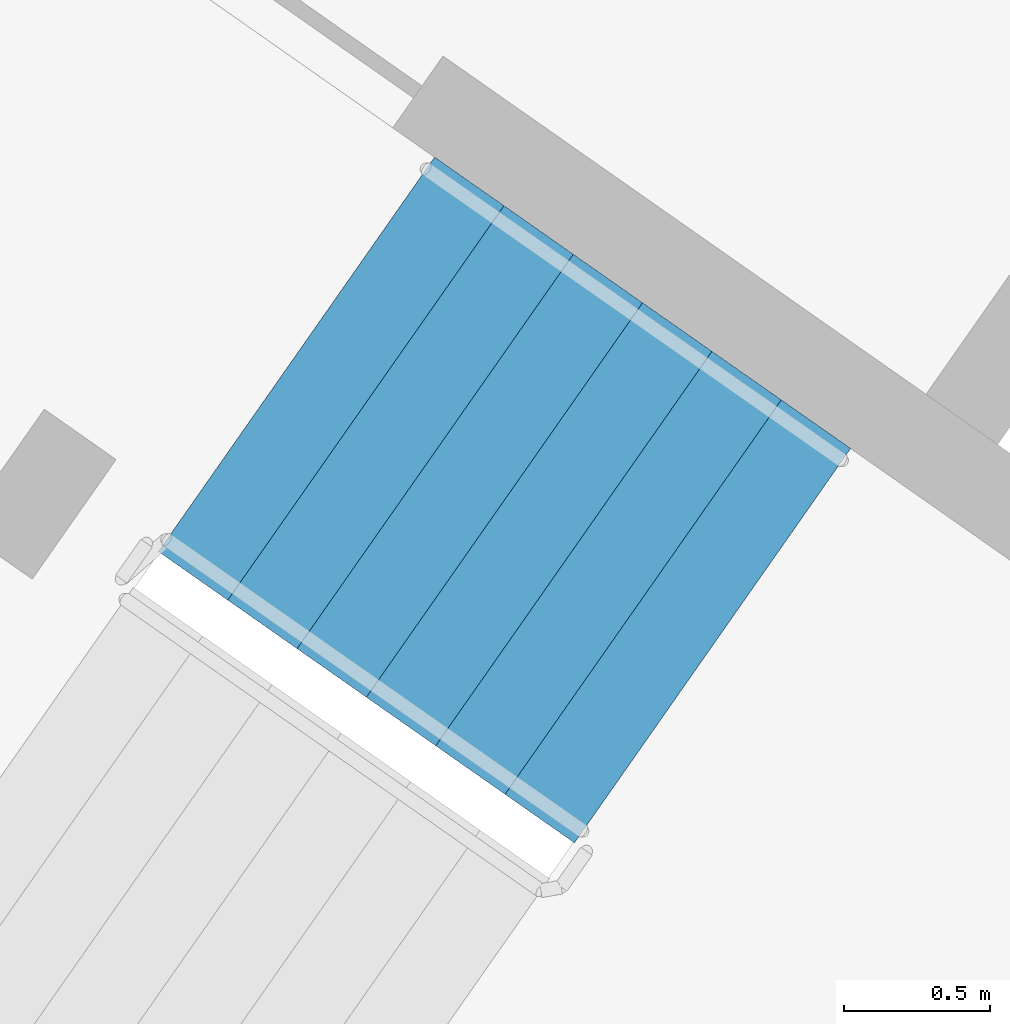
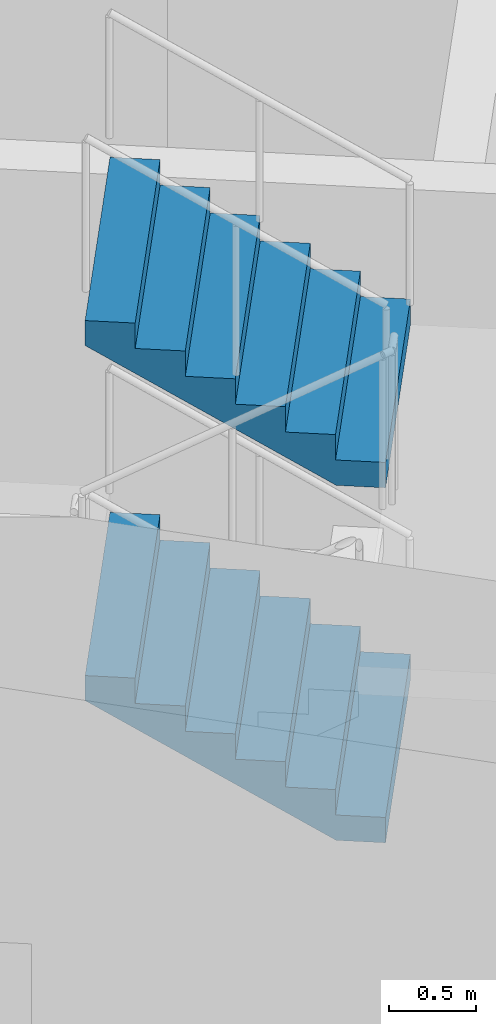
# One storey, part 14 of 24: 2 stair flights, 1 element without a shape of its own.
"""IFC4 building model written with IfcOpenShell, lengths in metres."""

from ifc_helpers import new_model, si_unit, direction, frame, origin, place, context, subcontext, project, spatial, faceted_brep, material, type_object, element, aggregate, save


model = new_model("IFC4")

# Units and contexts
model_context = context("Model", 3, precision=1e-05, world=origin(), true_north=direction((0.0, 1.0)))
body_context = subcontext(model_context, "Body", "Model", "MODEL_VIEW")
ifc_project = project(units=[si_unit("LENGTHUNIT", "METRE"), si_unit("AREAUNIT", "SQUARE_METRE"), si_unit("VOLUMEUNIT", "CUBIC_METRE"), si_unit("PLANEANGLEUNIT", "RADIAN"), si_unit("MASSUNIT", "GRAM", prefix="KILO")], contexts=[model_context])

# Site, building, storey
site_placement = place(None, origin())
site = spatial("IfcSite", under=ifc_project, at=site_placement, CompositionType="ELEMENT")
building_placement = place(site_placement, origin())
building = spatial("IfcBuilding", under=site, at=building_placement, Name="Qamariyya Broadcast Tower", CompositionType="ELEMENT")
storey_placement = place(building_placement, frame((0.0, 0.0, 253.10009765625)))
storey = spatial("IfcBuildingStorey", under=building, at=storey_placement, Name="L61", CompositionType="ELEMENT", Elevation=253.10009765625)

# Stair, stair flights
ifc_material = material(Name="Concrete C50/60", Category="concrete")
stair_type = type_object("IfcStairType", Name="Exit stair 28 risers of 179 mm", PredefinedType="HALF_TURN_STAIR", material=ifc_material)
stair_placement = place(storey_placement, origin())
stair = element("IfcStair", 1, at=stair_placement, inside=storey, type_object=stair_type, Name="L61 Stair W1", PredefinedType="HALF_TURN_STAIR")
stair_flight_type = type_object("IfcStairFlightType", Name="Exit stair flight 7 risers of 179 mm", PredefinedType="STRAIGHT", material=ifc_material)
stair_flight_1_placement = place(storey_placement, frame((-44.611083984375, -56.506103515625, 1.25), z_axis=(0.0, 0.0, 1.0), x_axis=(-0.819152044289, 0.573576436351, 0.0)))
stair_flight_1 = element("IfcStairFlight", 2, at=stair_flight_1_placement, type_object=stair_flight_type, Name="ST-W1 flight 2", NumberOfRisers=7, NumberOfTreads=6, PredefinedType="STRAIGHT", RiserHeight=0.178571429, TreadLength=0.29, context=body_context, shape_type="Brep", body=[
    faceted_brep([(0.0, 0.824951171875, 0.0), (0.0, 0.824951171875, 0.178466796875), (0.2900390625, 0.824951171875, 0.178466796875), (0.2900390625, 0.824951171875, 0.357177734375), (0.580078125, 0.824951171875, 0.357177734375), (0.580078125, 0.824951171875, 0.53564453125), (0.8701171875, 0.824951171875, 0.53564453125), (0.8701171875, 0.824951171875, 0.71435546875), (1.159912109375, 0.824951171875, 0.71435546875), (1.159912109375, 0.824951171875, 0.892822265625), (1.449951171875, 0.824951171875, 0.892822265625), (1.449951171875, 0.824951171875, 1.071533203125), (1.739990234375, 0.824951171875, 1.071533203125), (1.739990234375, 0.824951171875, 0.8955078125), (0.285888671875, 0.824951171875, 0.0), (0.285888671875, -0.824951171875, 0.0), (1.739990234375, -0.824951171875, 0.8955078125), (1.739990234375, -0.824951171875, 1.071533203125), (1.449951171875, -0.824951171875, 1.071533203125), (1.449951171875, -0.824951171875, 0.892822265625), (1.159912109375, -0.824951171875, 0.892822265625), (1.159912109375, -0.824951171875, 0.71435546875), (0.8701171875, -0.824951171875, 0.71435546875), (0.8701171875, -0.824951171875, 0.53564453125), (0.580078125, -0.824951171875, 0.53564453125), (0.580078125, -0.824951171875, 0.357177734375), (0.2900390625, -0.824951171875, 0.357177734375), (0.2900390625, -0.824951171875, 0.178466796875), (0.0, -0.824951171875, 0.178466796875), (0.0, -0.824951171875, 0.0), (0.0, 0.10009765625, 0.0), (0.0, 0.086669921875, 0.0), (0.0, 0.0732421875, 0.0), (0.0, 0.06005859375, 0.0), (0.0, 0.046630859375, 0.0), (0.0, 0.033447265625, 0.0), (0.0, 0.02001953125, 0.0), (0.0, 0.006591796875, 0.0), (0.0, -0.006591796875, 0.0), (0.0, -0.02001953125, 0.0), (0.0, -0.033447265625, 0.0), (0.0, -0.046630859375, 0.0), (0.0, -0.06005859375, 0.0), (0.0, -0.0732421875, 0.0), (0.0, -0.086669921875, 0.0), (0.0, -0.10009765625, 0.0), (0.0, -0.10009765625, 0.178466796875), (0.0, -0.086669921875, 0.178466796875), (0.0, -0.0732421875, 0.178466796875), (0.0, -0.06005859375, 0.178466796875), (0.0, -0.046630859375, 0.178466796875), (0.0, -0.033447265625, 0.178466796875), (0.0, -0.02001953125, 0.178466796875), (0.0, -0.006591796875, 0.178466796875), (0.0, 0.006591796875, 0.178466796875), (0.0, 0.02001953125, 0.178466796875), (0.0, 0.033447265625, 0.178466796875), (0.0, 0.046630859375, 0.178466796875), (0.0, 0.06005859375, 0.178466796875), (0.0, 0.0732421875, 0.178466796875), (0.0, 0.086669921875, 0.178466796875), (0.0, 0.10009765625, 0.178466796875), (0.2900390625, -0.10009765625, 0.178466796875), (0.2900390625, -0.086669921875, 0.178466796875), (0.2900390625, -0.0732421875, 0.178466796875), (0.2900390625, -0.06005859375, 0.178466796875), (0.2900390625, -0.046630859375, 0.178466796875), (0.2900390625, -0.033447265625, 0.178466796875), (0.2900390625, -0.02001953125, 0.178466796875), (0.2900390625, -0.006591796875, 0.178466796875), (0.2900390625, 0.006591796875, 0.178466796875), (0.2900390625, 0.02001953125, 0.178466796875), (0.2900390625, 0.033447265625, 0.178466796875), (0.2900390625, 0.046630859375, 0.178466796875), (0.2900390625, 0.06005859375, 0.178466796875), (0.2900390625, 0.0732421875, 0.178466796875), (0.2900390625, 0.086669921875, 0.178466796875), (0.2900390625, 0.10009765625, 0.178466796875), (0.2900390625, -0.10009765625, 0.357177734375), (0.2900390625, -0.086669921875, 0.357177734375), (0.2900390625, -0.0732421875, 0.357177734375), (0.2900390625, -0.06005859375, 0.357177734375), (0.2900390625, -0.046630859375, 0.357177734375), (0.2900390625, -0.033447265625, 0.357177734375), (0.2900390625, -0.02001953125, 0.357177734375), (0.2900390625, -0.006591796875, 0.357177734375), (0.2900390625, 0.006591796875, 0.357177734375), (0.2900390625, 0.02001953125, 0.357177734375), (0.2900390625, 0.033447265625, 0.357177734375), (0.2900390625, 0.046630859375, 0.357177734375), (0.2900390625, 0.06005859375, 0.357177734375), (0.2900390625, 0.0732421875, 0.357177734375), (0.2900390625, 0.086669921875, 0.357177734375), (0.2900390625, 0.10009765625, 0.357177734375), (0.580078125, -0.10009765625, 0.357177734375), (0.580078125, -0.086669921875, 0.357177734375), (0.580078125, -0.0732421875, 0.357177734375), (0.580078125, -0.06005859375, 0.357177734375), (0.580078125, -0.046630859375, 0.357177734375), (0.580078125, -0.033447265625, 0.357177734375), (0.580078125, -0.02001953125, 0.357177734375), (0.580078125, -0.006591796875, 0.357177734375), (0.580078125, 0.006591796875, 0.357177734375), (0.580078125, 0.02001953125, 0.357177734375), (0.580078125, 0.033447265625, 0.357177734375), (0.580078125, 0.046630859375, 0.357177734375), (0.580078125, 0.06005859375, 0.357177734375), (0.580078125, 0.0732421875, 0.357177734375), (0.580078125, 0.086669921875, 0.357177734375), (0.580078125, 0.10009765625, 0.357177734375), (0.580078125, -0.10009765625, 0.53564453125), (0.580078125, -0.086669921875, 0.53564453125), (0.580078125, -0.0732421875, 0.53564453125), (0.580078125, -0.06005859375, 0.53564453125), (0.580078125, -0.046630859375, 0.53564453125), (0.580078125, -0.033447265625, 0.53564453125), (0.580078125, -0.02001953125, 0.53564453125), (0.580078125, -0.006591796875, 0.53564453125), (0.580078125, 0.006591796875, 0.53564453125), (0.580078125, 0.02001953125, 0.53564453125), (0.580078125, 0.033447265625, 0.53564453125), (0.580078125, 0.046630859375, 0.53564453125), (0.580078125, 0.06005859375, 0.53564453125), (0.580078125, 0.0732421875, 0.53564453125), (0.580078125, 0.086669921875, 0.53564453125), (0.580078125, 0.10009765625, 0.53564453125), (0.8701171875, -0.10009765625, 0.53564453125), (0.8701171875, -0.086669921875, 0.53564453125), (0.8701171875, -0.0732421875, 0.53564453125), (0.8701171875, -0.06005859375, 0.53564453125), (0.8701171875, -0.046630859375, 0.53564453125), (0.8701171875, -0.033447265625, 0.53564453125), (0.8701171875, -0.02001953125, 0.53564453125), (0.8701171875, -0.006591796875, 0.53564453125), (0.8701171875, 0.006591796875, 0.53564453125), (0.8701171875, 0.02001953125, 0.53564453125), (0.8701171875, 0.033447265625, 0.53564453125), (0.8701171875, 0.046630859375, 0.53564453125), (0.8701171875, 0.06005859375, 0.53564453125), (0.8701171875, 0.0732421875, 0.53564453125), (0.8701171875, 0.086669921875, 0.53564453125), (0.8701171875, 0.10009765625, 0.53564453125), (0.8701171875, -0.10009765625, 0.71435546875), (0.8701171875, -0.086669921875, 0.71435546875), (0.8701171875, -0.0732421875, 0.71435546875), (0.8701171875, -0.06005859375, 0.71435546875), (0.8701171875, -0.046630859375, 0.71435546875), (0.8701171875, -0.033447265625, 0.71435546875), (0.8701171875, -0.02001953125, 0.71435546875), (0.8701171875, -0.006591796875, 0.71435546875), (0.8701171875, 0.006591796875, 0.71435546875), (0.8701171875, 0.02001953125, 0.71435546875), (0.8701171875, 0.033447265625, 0.71435546875), (0.8701171875, 0.046630859375, 0.71435546875), (0.8701171875, 0.06005859375, 0.71435546875), (0.8701171875, 0.0732421875, 0.71435546875), (0.8701171875, 0.086669921875, 0.71435546875), (0.8701171875, 0.10009765625, 0.71435546875), (1.159912109375, -0.10009765625, 0.71435546875), (1.159912109375, -0.086669921875, 0.71435546875), (1.159912109375, -0.0732421875, 0.71435546875), (1.159912109375, -0.06005859375, 0.71435546875), (1.159912109375, -0.046630859375, 0.71435546875), (1.159912109375, -0.033447265625, 0.71435546875), (1.159912109375, -0.02001953125, 0.71435546875), (1.159912109375, -0.006591796875, 0.71435546875), (1.159912109375, 0.006591796875, 0.71435546875), (1.159912109375, 0.02001953125, 0.71435546875), (1.159912109375, 0.033447265625, 0.71435546875), (1.159912109375, 0.046630859375, 0.71435546875), (1.159912109375, 0.06005859375, 0.71435546875), (1.159912109375, 0.0732421875, 0.71435546875), (1.159912109375, 0.086669921875, 0.71435546875), (1.159912109375, 0.10009765625, 0.71435546875), (1.159912109375, -0.10009765625, 0.892822265625), (1.159912109375, -0.086669921875, 0.892822265625), (1.159912109375, -0.0732421875, 0.892822265625), (1.159912109375, -0.06005859375, 0.892822265625), (1.159912109375, -0.046630859375, 0.892822265625), (1.159912109375, -0.033447265625, 0.892822265625), (1.159912109375, -0.02001953125, 0.892822265625), (1.159912109375, -0.006591796875, 0.892822265625), (1.159912109375, 0.006591796875, 0.892822265625), (1.159912109375, 0.02001953125, 0.892822265625), (1.159912109375, 0.033447265625, 0.892822265625), (1.159912109375, 0.046630859375, 0.892822265625), (1.159912109375, 0.06005859375, 0.892822265625), (1.159912109375, 0.0732421875, 0.892822265625), (1.159912109375, 0.086669921875, 0.892822265625), (1.159912109375, 0.10009765625, 0.892822265625), (1.449951171875, -0.10009765625, 0.892822265625), (1.449951171875, -0.086669921875, 0.892822265625), (1.449951171875, -0.0732421875, 0.892822265625), (1.449951171875, -0.06005859375, 0.892822265625), (1.449951171875, -0.046630859375, 0.892822265625), (1.449951171875, -0.033447265625, 0.892822265625), (1.449951171875, -0.02001953125, 0.892822265625), (1.449951171875, -0.006591796875, 0.892822265625), (1.449951171875, 0.006591796875, 0.892822265625), (1.449951171875, 0.02001953125, 0.892822265625), (1.449951171875, 0.033447265625, 0.892822265625), (1.449951171875, 0.046630859375, 0.892822265625), (1.449951171875, 0.06005859375, 0.892822265625), (1.449951171875, 0.0732421875, 0.892822265625), (1.449951171875, 0.086669921875, 0.892822265625), (1.449951171875, 0.10009765625, 0.892822265625), (1.449951171875, -0.10009765625, 1.071533203125), (1.449951171875, -0.086669921875, 1.071533203125), (1.449951171875, -0.0732421875, 1.071533203125), (1.449951171875, -0.06005859375, 1.071533203125), (1.449951171875, -0.046630859375, 1.071533203125), (1.449951171875, -0.033447265625, 1.071533203125), (1.449951171875, -0.02001953125, 1.071533203125), (1.449951171875, -0.006591796875, 1.071533203125), (1.449951171875, 0.006591796875, 1.071533203125), (1.449951171875, 0.02001953125, 1.071533203125), (1.449951171875, 0.033447265625, 1.071533203125), (1.449951171875, 0.046630859375, 1.071533203125), (1.449951171875, 0.06005859375, 1.071533203125), (1.449951171875, 0.0732421875, 1.071533203125), (1.449951171875, 0.086669921875, 1.071533203125), (1.449951171875, 0.10009765625, 1.071533203125), (1.739990234375, -0.10009765625, 1.071533203125), (1.739990234375, -0.086669921875, 1.071533203125), (1.739990234375, -0.0732421875, 1.071533203125), (1.739990234375, -0.06005859375, 1.071533203125), (1.739990234375, -0.046630859375, 1.071533203125), (1.739990234375, -0.033447265625, 1.071533203125), (1.739990234375, -0.02001953125, 1.071533203125), (1.739990234375, -0.006591796875, 1.071533203125), (1.739990234375, 0.006591796875, 1.071533203125), (1.739990234375, 0.02001953125, 1.071533203125), (1.739990234375, 0.033447265625, 1.071533203125), (1.739990234375, 0.046630859375, 1.071533203125), (1.739990234375, 0.06005859375, 1.071533203125), (1.739990234375, 0.0732421875, 1.071533203125), (1.739990234375, 0.086669921875, 1.071533203125), (1.739990234375, 0.10009765625, 1.071533203125), (1.739990234375, -0.10009765625, 0.8955078125), (1.739990234375, -0.086669921875, 0.8955078125), (1.739990234375, -0.0732421875, 0.8955078125), (1.739990234375, -0.06005859375, 0.8955078125), (1.739990234375, -0.046630859375, 0.8955078125), (1.739990234375, -0.033447265625, 0.8955078125), (1.739990234375, -0.02001953125, 0.8955078125), (1.739990234375, -0.006591796875, 0.8955078125), (1.739990234375, 0.006591796875, 0.8955078125), (1.739990234375, 0.02001953125, 0.8955078125), (1.739990234375, 0.033447265625, 0.8955078125), (1.739990234375, 0.046630859375, 0.8955078125), (1.739990234375, 0.06005859375, 0.8955078125), (1.739990234375, 0.0732421875, 0.8955078125), (1.739990234375, 0.086669921875, 0.8955078125), (1.739990234375, 0.10009765625, 0.8955078125), (0.285888671875, -0.10009765625, 0.0), (0.285888671875, -0.086669921875, 0.0), (0.285888671875, -0.0732421875, 0.0), (0.285888671875, -0.06005859375, 0.0), (0.285888671875, -0.046630859375, 0.0), (0.285888671875, -0.033447265625, 0.0), (0.285888671875, -0.02001953125, 0.0), (0.285888671875, -0.006591796875, 0.0), (0.285888671875, 0.006591796875, 0.0), (0.285888671875, 0.02001953125, 0.0), (0.285888671875, 0.033447265625, 0.0), (0.285888671875, 0.046630859375, 0.0), (0.285888671875, 0.06005859375, 0.0), (0.285888671875, 0.0732421875, 0.0), (0.285888671875, 0.086669921875, 0.0), (0.285888671875, 0.10009765625, 0.0)], [[[0, 1, 2, 3, 4, 5, 6, 7, 8, 9, 10, 11, 12, 13, 14]], [[15, 16, 17, 18, 19, 20, 21, 22, 23, 24, 25, 26, 27, 28, 29]], [[0, 30, 31, 32, 33, 34, 35, 36, 37, 38, 39, 40, 41, 42, 43, 44, 45, 29, 28, 46, 47, 48, 49, 50, 51, 52, 53, 54, 55, 56, 57, 58, 59, 60, 61, 1]], [[1, 61, 60, 59, 58, 57, 56, 55, 54, 53, 52, 51, 50, 49, 48, 47, 46, 28, 27, 62, 63, 64, 65, 66, 67, 68, 69, 70, 71, 72, 73, 74, 75, 76, 77, 2]], [[2, 77, 76, 75, 74, 73, 72, 71, 70, 69, 68, 67, 66, 65, 64, 63, 62, 27, 26, 78, 79, 80, 81, 82, 83, 84, 85, 86, 87, 88, 89, 90, 91, 92, 93, 3]], [[3, 93, 92, 91, 90, 89, 88, 87, 86, 85, 84, 83, 82, 81, 80, 79, 78, 26, 25, 94, 95, 96, 97, 98, 99, 100, 101, 102, 103, 104, 105, 106, 107, 108, 109, 4]], [[4, 109, 108, 107, 106, 105, 104, 103, 102, 101, 100, 99, 98, 97, 96, 95, 94, 25, 24, 110, 111, 112, 113, 114, 115, 116, 117, 118, 119, 120, 121, 122, 123, 124, 125, 5]], [[5, 125, 124, 123, 122, 121, 120, 119, 118, 117, 116, 115, 114, 113, 112, 111, 110, 24, 23, 126, 127, 128, 129, 130, 131, 132, 133, 134, 135, 136, 137, 138, 139, 140, 141, 6]], [[6, 141, 140, 139, 138, 137, 136, 135, 134, 133, 132, 131, 130, 129, 128, 127, 126, 23, 22, 142, 143, 144, 145, 146, 147, 148, 149, 150, 151, 152, 153, 154, 155, 156, 157, 7]], [[7, 157, 156, 155, 154, 153, 152, 151, 150, 149, 148, 147, 146, 145, 144, 143, 142, 22, 21, 158, 159, 160, 161, 162, 163, 164, 165, 166, 167, 168, 169, 170, 171, 172, 173, 8]], [[8, 173, 172, 171, 170, 169, 168, 167, 166, 165, 164, 163, 162, 161, 160, 159, 158, 21, 20, 174, 175, 176, 177, 178, 179, 180, 181, 182, 183, 184, 185, 186, 187, 188, 189, 9]], [[9, 189, 188, 187, 186, 185, 184, 183, 182, 181, 180, 179, 178, 177, 176, 175, 174, 20, 19, 190, 191, 192, 193, 194, 195, 196, 197, 198, 199, 200, 201, 202, 203, 204, 205, 10]], [[10, 205, 204, 203, 202, 201, 200, 199, 198, 197, 196, 195, 194, 193, 192, 191, 190, 19, 18, 206, 207, 208, 209, 210, 211, 212, 213, 214, 215, 216, 217, 218, 219, 220, 221, 11]], [[11, 221, 220, 219, 218, 217, 216, 215, 214, 213, 212, 211, 210, 209, 208, 207, 206, 18, 17, 222, 223, 224, 225, 226, 227, 228, 229, 230, 231, 232, 233, 234, 235, 236, 237, 12]], [[12, 237, 236, 235, 234, 233, 232, 231, 230, 229, 228, 227, 226, 225, 224, 223, 222, 17, 16, 238, 239, 240, 241, 242, 243, 244, 245, 246, 247, 248, 249, 250, 251, 252, 253, 13]], [[13, 253, 252, 251, 250, 249, 248, 247, 246, 245, 244, 243, 242, 241, 240, 239, 238, 16, 15, 254, 255, 256, 257, 258, 259, 260, 261, 262, 263, 264, 265, 266, 267, 268, 269, 14]], [[14, 269, 268, 267, 266, 265, 264, 263, 262, 261, 260, 259, 258, 257, 256, 255, 254, 15, 29, 45, 44, 43, 42, 41, 40, 39, 38, 37, 36, 35, 34, 33, 32, 31, 30, 0]]]),
])
stair_flight_2_placement = place(storey_placement, frame((-44.611083984375, -56.506103515625, 3.75), z_axis=(0.0, 0.0, 1.0), x_axis=(-0.819152044289, 0.573576436351, 0.0)))
stair_flight_2 = element("IfcStairFlight", 3, at=stair_flight_2_placement, type_object=stair_flight_type, Name="ST-W1 flight 4", NumberOfRisers=7, NumberOfTreads=6, PredefinedType="STRAIGHT", RiserHeight=0.178571429, TreadLength=0.29, context=body_context, shape_type="Brep", body=[
    faceted_brep([(0.0, 0.824951171875, 0.0), (0.0, 0.824951171875, 0.178466796875), (0.2900390625, 0.824951171875, 0.178466796875), (0.2900390625, 0.824951171875, 0.357177734375), (0.580078125, 0.824951171875, 0.357177734375), (0.580078125, 0.824951171875, 0.53564453125), (0.8701171875, 0.824951171875, 0.53564453125), (0.8701171875, 0.824951171875, 0.71435546875), (1.159912109375, 0.824951171875, 0.71435546875), (1.159912109375, 0.824951171875, 0.892822265625), (1.449951171875, 0.824951171875, 0.892822265625), (1.449951171875, 0.824951171875, 1.071533203125), (1.739990234375, 0.824951171875, 1.071533203125), (1.739990234375, 0.824951171875, 0.8955078125), (0.285888671875, 0.824951171875, 0.0), (0.285888671875, -0.824951171875, 0.0), (1.739990234375, -0.824951171875, 0.8955078125), (1.739990234375, -0.824951171875, 1.071533203125), (1.449951171875, -0.824951171875, 1.071533203125), (1.449951171875, -0.824951171875, 0.892822265625), (1.159912109375, -0.824951171875, 0.892822265625), (1.159912109375, -0.824951171875, 0.71435546875), (0.8701171875, -0.824951171875, 0.71435546875), (0.8701171875, -0.824951171875, 0.53564453125), (0.580078125, -0.824951171875, 0.53564453125), (0.580078125, -0.824951171875, 0.357177734375), (0.2900390625, -0.824951171875, 0.357177734375), (0.2900390625, -0.824951171875, 0.178466796875), (0.0, -0.824951171875, 0.178466796875), (0.0, -0.824951171875, 0.0), (0.0, 0.10009765625, 0.0), (0.0, 0.086669921875, 0.0), (0.0, 0.0732421875, 0.0), (0.0, 0.06005859375, 0.0), (0.0, 0.046630859375, 0.0), (0.0, 0.033447265625, 0.0), (0.0, 0.02001953125, 0.0), (0.0, 0.006591796875, 0.0), (0.0, -0.006591796875, 0.0), (0.0, -0.02001953125, 0.0), (0.0, -0.033447265625, 0.0), (0.0, -0.046630859375, 0.0), (0.0, -0.06005859375, 0.0), (0.0, -0.0732421875, 0.0), (0.0, -0.086669921875, 0.0), (0.0, -0.10009765625, 0.0), (0.0, -0.10009765625, 0.178466796875), (0.0, -0.086669921875, 0.178466796875), (0.0, -0.0732421875, 0.178466796875), (0.0, -0.06005859375, 0.178466796875), (0.0, -0.046630859375, 0.178466796875), (0.0, -0.033447265625, 0.178466796875), (0.0, -0.02001953125, 0.178466796875), (0.0, -0.006591796875, 0.178466796875), (0.0, 0.006591796875, 0.178466796875), (0.0, 0.02001953125, 0.178466796875), (0.0, 0.033447265625, 0.178466796875), (0.0, 0.046630859375, 0.178466796875), (0.0, 0.06005859375, 0.178466796875), (0.0, 0.0732421875, 0.178466796875), (0.0, 0.086669921875, 0.178466796875), (0.0, 0.10009765625, 0.178466796875), (0.2900390625, -0.10009765625, 0.178466796875), (0.2900390625, -0.086669921875, 0.178466796875), (0.2900390625, -0.0732421875, 0.178466796875), (0.2900390625, -0.06005859375, 0.178466796875), (0.2900390625, -0.046630859375, 0.178466796875), (0.2900390625, -0.033447265625, 0.178466796875), (0.2900390625, -0.02001953125, 0.178466796875), (0.2900390625, -0.006591796875, 0.178466796875), (0.2900390625, 0.006591796875, 0.178466796875), (0.2900390625, 0.02001953125, 0.178466796875), (0.2900390625, 0.033447265625, 0.178466796875), (0.2900390625, 0.046630859375, 0.178466796875), (0.2900390625, 0.06005859375, 0.178466796875), (0.2900390625, 0.0732421875, 0.178466796875), (0.2900390625, 0.086669921875, 0.178466796875), (0.2900390625, 0.10009765625, 0.178466796875), (0.2900390625, -0.10009765625, 0.357177734375), (0.2900390625, -0.086669921875, 0.357177734375), (0.2900390625, -0.0732421875, 0.357177734375), (0.2900390625, -0.06005859375, 0.357177734375), (0.2900390625, -0.046630859375, 0.357177734375), (0.2900390625, -0.033447265625, 0.357177734375), (0.2900390625, -0.02001953125, 0.357177734375), (0.2900390625, -0.006591796875, 0.357177734375), (0.2900390625, 0.006591796875, 0.357177734375), (0.2900390625, 0.02001953125, 0.357177734375), (0.2900390625, 0.033447265625, 0.357177734375), (0.2900390625, 0.046630859375, 0.357177734375), (0.2900390625, 0.06005859375, 0.357177734375), (0.2900390625, 0.0732421875, 0.357177734375), (0.2900390625, 0.086669921875, 0.357177734375), (0.2900390625, 0.10009765625, 0.357177734375), (0.580078125, -0.10009765625, 0.357177734375), (0.580078125, -0.086669921875, 0.357177734375), (0.580078125, -0.0732421875, 0.357177734375), (0.580078125, -0.06005859375, 0.357177734375), (0.580078125, -0.046630859375, 0.357177734375), (0.580078125, -0.033447265625, 0.357177734375), (0.580078125, -0.02001953125, 0.357177734375), (0.580078125, -0.006591796875, 0.357177734375), (0.580078125, 0.006591796875, 0.357177734375), (0.580078125, 0.02001953125, 0.357177734375), (0.580078125, 0.033447265625, 0.357177734375), (0.580078125, 0.046630859375, 0.357177734375), (0.580078125, 0.06005859375, 0.357177734375), (0.580078125, 0.0732421875, 0.357177734375), (0.580078125, 0.086669921875, 0.357177734375), (0.580078125, 0.10009765625, 0.357177734375), (0.580078125, -0.10009765625, 0.53564453125), (0.580078125, -0.086669921875, 0.53564453125), (0.580078125, -0.0732421875, 0.53564453125), (0.580078125, -0.06005859375, 0.53564453125), (0.580078125, -0.046630859375, 0.53564453125), (0.580078125, -0.033447265625, 0.53564453125), (0.580078125, -0.02001953125, 0.53564453125), (0.580078125, -0.006591796875, 0.53564453125), (0.580078125, 0.006591796875, 0.53564453125), (0.580078125, 0.02001953125, 0.53564453125), (0.580078125, 0.033447265625, 0.53564453125), (0.580078125, 0.046630859375, 0.53564453125), (0.580078125, 0.06005859375, 0.53564453125), (0.580078125, 0.0732421875, 0.53564453125), (0.580078125, 0.086669921875, 0.53564453125), (0.580078125, 0.10009765625, 0.53564453125), (0.8701171875, -0.10009765625, 0.53564453125), (0.8701171875, -0.086669921875, 0.53564453125), (0.8701171875, -0.0732421875, 0.53564453125), (0.8701171875, -0.06005859375, 0.53564453125), (0.8701171875, -0.046630859375, 0.53564453125), (0.8701171875, -0.033447265625, 0.53564453125), (0.8701171875, -0.02001953125, 0.53564453125), (0.8701171875, -0.006591796875, 0.53564453125), (0.8701171875, 0.006591796875, 0.53564453125), (0.8701171875, 0.02001953125, 0.53564453125), (0.8701171875, 0.033447265625, 0.53564453125), (0.8701171875, 0.046630859375, 0.53564453125), (0.8701171875, 0.06005859375, 0.53564453125), (0.8701171875, 0.0732421875, 0.53564453125), (0.8701171875, 0.086669921875, 0.53564453125), (0.8701171875, 0.10009765625, 0.53564453125), (0.8701171875, -0.10009765625, 0.71435546875), (0.8701171875, -0.086669921875, 0.71435546875), (0.8701171875, -0.0732421875, 0.71435546875), (0.8701171875, -0.06005859375, 0.71435546875), (0.8701171875, -0.046630859375, 0.71435546875), (0.8701171875, -0.033447265625, 0.71435546875), (0.8701171875, -0.02001953125, 0.71435546875), (0.8701171875, -0.006591796875, 0.71435546875), (0.8701171875, 0.006591796875, 0.71435546875), (0.8701171875, 0.02001953125, 0.71435546875), (0.8701171875, 0.033447265625, 0.71435546875), (0.8701171875, 0.046630859375, 0.71435546875), (0.8701171875, 0.06005859375, 0.71435546875), (0.8701171875, 0.0732421875, 0.71435546875), (0.8701171875, 0.086669921875, 0.71435546875), (0.8701171875, 0.10009765625, 0.71435546875), (1.159912109375, -0.10009765625, 0.71435546875), (1.159912109375, -0.086669921875, 0.71435546875), (1.159912109375, -0.0732421875, 0.71435546875), (1.159912109375, -0.06005859375, 0.71435546875), (1.159912109375, -0.046630859375, 0.71435546875), (1.159912109375, -0.033447265625, 0.71435546875), (1.159912109375, -0.02001953125, 0.71435546875), (1.159912109375, -0.006591796875, 0.71435546875), (1.159912109375, 0.006591796875, 0.71435546875), (1.159912109375, 0.02001953125, 0.71435546875), (1.159912109375, 0.033447265625, 0.71435546875), (1.159912109375, 0.046630859375, 0.71435546875), (1.159912109375, 0.06005859375, 0.71435546875), (1.159912109375, 0.0732421875, 0.71435546875), (1.159912109375, 0.086669921875, 0.71435546875), (1.159912109375, 0.10009765625, 0.71435546875), (1.159912109375, -0.10009765625, 0.892822265625), (1.159912109375, -0.086669921875, 0.892822265625), (1.159912109375, -0.0732421875, 0.892822265625), (1.159912109375, -0.06005859375, 0.892822265625), (1.159912109375, -0.046630859375, 0.892822265625), (1.159912109375, -0.033447265625, 0.892822265625), (1.159912109375, -0.02001953125, 0.892822265625), (1.159912109375, -0.006591796875, 0.892822265625), (1.159912109375, 0.006591796875, 0.892822265625), (1.159912109375, 0.02001953125, 0.892822265625), (1.159912109375, 0.033447265625, 0.892822265625), (1.159912109375, 0.046630859375, 0.892822265625), (1.159912109375, 0.06005859375, 0.892822265625), (1.159912109375, 0.0732421875, 0.892822265625), (1.159912109375, 0.086669921875, 0.892822265625), (1.159912109375, 0.10009765625, 0.892822265625), (1.449951171875, -0.10009765625, 0.892822265625), (1.449951171875, -0.086669921875, 0.892822265625), (1.449951171875, -0.0732421875, 0.892822265625), (1.449951171875, -0.06005859375, 0.892822265625), (1.449951171875, -0.046630859375, 0.892822265625), (1.449951171875, -0.033447265625, 0.892822265625), (1.449951171875, -0.02001953125, 0.892822265625), (1.449951171875, -0.006591796875, 0.892822265625), (1.449951171875, 0.006591796875, 0.892822265625), (1.449951171875, 0.02001953125, 0.892822265625), (1.449951171875, 0.033447265625, 0.892822265625), (1.449951171875, 0.046630859375, 0.892822265625), (1.449951171875, 0.06005859375, 0.892822265625), (1.449951171875, 0.0732421875, 0.892822265625), (1.449951171875, 0.086669921875, 0.892822265625), (1.449951171875, 0.10009765625, 0.892822265625), (1.449951171875, -0.10009765625, 1.071533203125), (1.449951171875, -0.086669921875, 1.071533203125), (1.449951171875, -0.0732421875, 1.071533203125), (1.449951171875, -0.06005859375, 1.071533203125), (1.449951171875, -0.046630859375, 1.071533203125), (1.449951171875, -0.033447265625, 1.071533203125), (1.449951171875, -0.02001953125, 1.071533203125), (1.449951171875, -0.006591796875, 1.071533203125), (1.449951171875, 0.006591796875, 1.071533203125), (1.449951171875, 0.02001953125, 1.071533203125), (1.449951171875, 0.033447265625, 1.071533203125), (1.449951171875, 0.046630859375, 1.071533203125), (1.449951171875, 0.06005859375, 1.071533203125), (1.449951171875, 0.0732421875, 1.071533203125), (1.449951171875, 0.086669921875, 1.071533203125), (1.449951171875, 0.10009765625, 1.071533203125), (1.739990234375, -0.10009765625, 1.071533203125), (1.739990234375, -0.086669921875, 1.071533203125), (1.739990234375, -0.0732421875, 1.071533203125), (1.739990234375, -0.06005859375, 1.071533203125), (1.739990234375, -0.046630859375, 1.071533203125), (1.739990234375, -0.033447265625, 1.071533203125), (1.739990234375, -0.02001953125, 1.071533203125), (1.739990234375, -0.006591796875, 1.071533203125), (1.739990234375, 0.006591796875, 1.071533203125), (1.739990234375, 0.02001953125, 1.071533203125), (1.739990234375, 0.033447265625, 1.071533203125), (1.739990234375, 0.046630859375, 1.071533203125), (1.739990234375, 0.06005859375, 1.071533203125), (1.739990234375, 0.0732421875, 1.071533203125), (1.739990234375, 0.086669921875, 1.071533203125), (1.739990234375, 0.10009765625, 1.071533203125), (1.739990234375, -0.10009765625, 0.8955078125), (1.739990234375, -0.086669921875, 0.8955078125), (1.739990234375, -0.0732421875, 0.8955078125), (1.739990234375, -0.06005859375, 0.8955078125), (1.739990234375, -0.046630859375, 0.8955078125), (1.739990234375, -0.033447265625, 0.8955078125), (1.739990234375, -0.02001953125, 0.8955078125), (1.739990234375, -0.006591796875, 0.8955078125), (1.739990234375, 0.006591796875, 0.8955078125), (1.739990234375, 0.02001953125, 0.8955078125), (1.739990234375, 0.033447265625, 0.8955078125), (1.739990234375, 0.046630859375, 0.8955078125), (1.739990234375, 0.06005859375, 0.8955078125), (1.739990234375, 0.0732421875, 0.8955078125), (1.739990234375, 0.086669921875, 0.8955078125), (1.739990234375, 0.10009765625, 0.8955078125), (0.285888671875, -0.10009765625, 0.0), (0.285888671875, -0.086669921875, 0.0), (0.285888671875, -0.0732421875, 0.0), (0.285888671875, -0.06005859375, 0.0), (0.285888671875, -0.046630859375, 0.0), (0.285888671875, -0.033447265625, 0.0), (0.285888671875, -0.02001953125, 0.0), (0.285888671875, -0.006591796875, 0.0), (0.285888671875, 0.006591796875, 0.0), (0.285888671875, 0.02001953125, 0.0), (0.285888671875, 0.033447265625, 0.0), (0.285888671875, 0.046630859375, 0.0), (0.285888671875, 0.06005859375, 0.0), (0.285888671875, 0.0732421875, 0.0), (0.285888671875, 0.086669921875, 0.0), (0.285888671875, 0.10009765625, 0.0)], [[[0, 1, 2, 3, 4, 5, 6, 7, 8, 9, 10, 11, 12, 13, 14]], [[15, 16, 17, 18, 19, 20, 21, 22, 23, 24, 25, 26, 27, 28, 29]], [[0, 30, 31, 32, 33, 34, 35, 36, 37, 38, 39, 40, 41, 42, 43, 44, 45, 29, 28, 46, 47, 48, 49, 50, 51, 52, 53, 54, 55, 56, 57, 58, 59, 60, 61, 1]], [[1, 61, 60, 59, 58, 57, 56, 55, 54, 53, 52, 51, 50, 49, 48, 47, 46, 28, 27, 62, 63, 64, 65, 66, 67, 68, 69, 70, 71, 72, 73, 74, 75, 76, 77, 2]], [[2, 77, 76, 75, 74, 73, 72, 71, 70, 69, 68, 67, 66, 65, 64, 63, 62, 27, 26, 78, 79, 80, 81, 82, 83, 84, 85, 86, 87, 88, 89, 90, 91, 92, 93, 3]], [[3, 93, 92, 91, 90, 89, 88, 87, 86, 85, 84, 83, 82, 81, 80, 79, 78, 26, 25, 94, 95, 96, 97, 98, 99, 100, 101, 102, 103, 104, 105, 106, 107, 108, 109, 4]], [[4, 109, 108, 107, 106, 105, 104, 103, 102, 101, 100, 99, 98, 97, 96, 95, 94, 25, 24, 110, 111, 112, 113, 114, 115, 116, 117, 118, 119, 120, 121, 122, 123, 124, 125, 5]], [[5, 125, 124, 123, 122, 121, 120, 119, 118, 117, 116, 115, 114, 113, 112, 111, 110, 24, 23, 126, 127, 128, 129, 130, 131, 132, 133, 134, 135, 136, 137, 138, 139, 140, 141, 6]], [[6, 141, 140, 139, 138, 137, 136, 135, 134, 133, 132, 131, 130, 129, 128, 127, 126, 23, 22, 142, 143, 144, 145, 146, 147, 148, 149, 150, 151, 152, 153, 154, 155, 156, 157, 7]], [[7, 157, 156, 155, 154, 153, 152, 151, 150, 149, 148, 147, 146, 145, 144, 143, 142, 22, 21, 158, 159, 160, 161, 162, 163, 164, 165, 166, 167, 168, 169, 170, 171, 172, 173, 8]], [[8, 173, 172, 171, 170, 169, 168, 167, 166, 165, 164, 163, 162, 161, 160, 159, 158, 21, 20, 174, 175, 176, 177, 178, 179, 180, 181, 182, 183, 184, 185, 186, 187, 188, 189, 9]], [[9, 189, 188, 187, 186, 185, 184, 183, 182, 181, 180, 179, 178, 177, 176, 175, 174, 20, 19, 190, 191, 192, 193, 194, 195, 196, 197, 198, 199, 200, 201, 202, 203, 204, 205, 10]], [[10, 205, 204, 203, 202, 201, 200, 199, 198, 197, 196, 195, 194, 193, 192, 191, 190, 19, 18, 206, 207, 208, 209, 210, 211, 212, 213, 214, 215, 216, 217, 218, 219, 220, 221, 11]], [[11, 221, 220, 219, 218, 217, 216, 215, 214, 213, 212, 211, 210, 209, 208, 207, 206, 18, 17, 222, 223, 224, 225, 226, 227, 228, 229, 230, 231, 232, 233, 234, 235, 236, 237, 12]], [[12, 237, 236, 235, 234, 233, 232, 231, 230, 229, 228, 227, 226, 225, 224, 223, 222, 17, 16, 238, 239, 240, 241, 242, 243, 244, 245, 246, 247, 248, 249, 250, 251, 252, 253, 13]], [[13, 253, 252, 251, 250, 249, 248, 247, 246, 245, 244, 243, 242, 241, 240, 239, 238, 16, 15, 254, 255, 256, 257, 258, 259, 260, 261, 262, 263, 264, 265, 266, 267, 268, 269, 14]], [[14, 269, 268, 267, 266, 265, 264, 263, 262, 261, 260, 259, 258, 257, 256, 255, 254, 15, 29, 45, 44, 43, 42, 41, 40, 39, 38, 37, 36, 35, 34, 33, 32, 31, 30, 0]]]),
])
aggregate(stair, [stair_flight_1, stair_flight_2])

save(model, "model.ifc")
